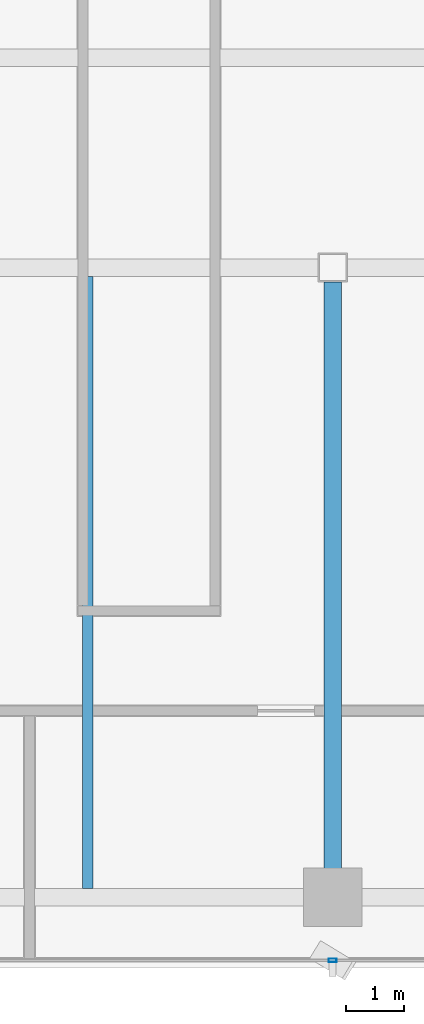
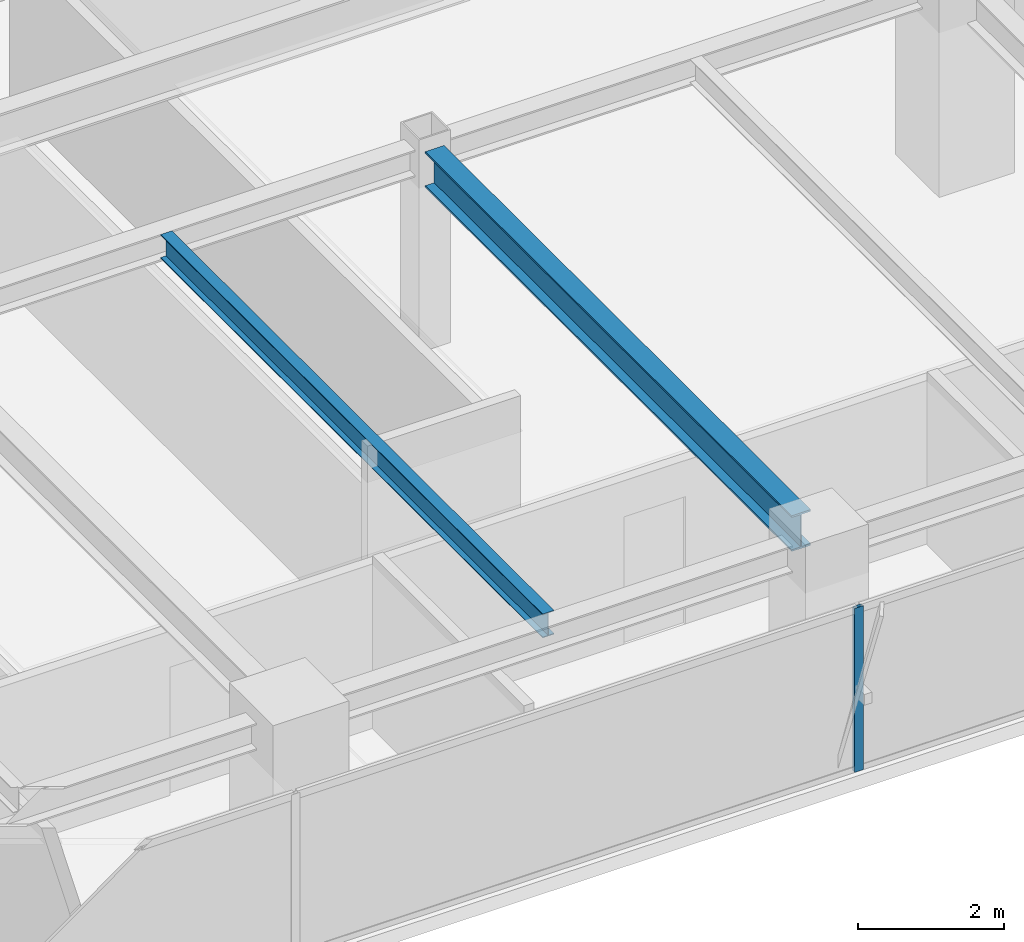
# One storey, part 6 of 26: 2 beams, 1 member, 1 element without a shape of its own.
"""IFC4 building model written with IfcOpenShell, lengths in metres."""

import ifcopenshell
import ifcopenshell.guid

model = None  # the IFC model being written
_history = None  # IfcOwnerHistory: only IFC2X3 demands one
_inside = {}  # id of a spatial element -> (the spatial element, [elements in it])
_under = {}  # id of a project, library or spatial element -> (it, [spatial elements below it])
_declared = {}  # id of a project -> (the project, [libraries it declares])
_typed = {}  # id of a type object -> (the type object, [elements of that type])
_made_of = {}  # id of a material, layer set ... -> (it, [elements and type objects made of it])


def new_model(schema):
    """Start an empty IFC model of exactly this schema.

    Asked for "IFC4X3", IfcOpenShell would pick the latest addendum, in which some entities
    have other attributes; the version numbers below select the first issue.
    IFC2X3 requires an IfcOwnerHistory on every rooted entity: one is made here for all.
    """
    global model, _history
    if schema == "IFC4X3":
        model = ifcopenshell.file(schema_version=(4, 3, 0, 0))
    else:
        model = ifcopenshell.file(schema=schema)
    _inside.clear()
    _under.clear()
    _declared.clear()
    _typed.clear()
    _made_of.clear()
    _history = None
    if model.schema == "IFC2X3":
        org = make("IfcOrganization", Name="unknown")
        user = make(
            "IfcPersonAndOrganization",
            ThePerson=make("IfcPerson", FamilyName="unknown"),
            TheOrganization=org,
        )
        app = make(
            "IfcApplication",
            ApplicationDeveloper=org,
            Version="unknown",
            ApplicationFullName="unknown",
            ApplicationIdentifier="unknown",
        )
        _history = make(
            "IfcOwnerHistory",
            OwningUser=user,
            OwningApplication=app,
            ChangeAction="ADDED",
            CreationDate=0,
        )
    return model


def make(cls, **values):
    """One entity of the class cls with the attributes given. An attribute that is None is left unset."""
    return model.create_entity(
        cls, **{name: value for name, value in values.items() if value is not None}
    )


def rooted(cls, **values):
    """An entity with a GlobalId (a new one), such as an element, a storey or a relation."""
    return make(cls, GlobalId=ifcopenshell.guid.new(), OwnerHistory=_history, **values)


def si_unit(unit_type, name, prefix=None):
    """IfcSIUnit, for example si_unit("LENGTHUNIT", "METRE", prefix="MILLI")."""
    return make("IfcSIUnit", UnitType=unit_type, Prefix=prefix, Name=name)


def assignment(units):
    """IfcUnitAssignment: the units of a project."""
    return None if units is None else make("IfcUnitAssignment", Units=units)


def point(xyz):
    """IfcCartesianPoint."""
    return None if xyz is None else make("IfcCartesianPoint", Coordinates=xyz)


def direction(xyz):
    """IfcDirection."""
    return None if xyz is None else make("IfcDirection", DirectionRatios=xyz)


def frame(location, z_axis=None, x_axis=None):
    """IfcAxis2Placement3D, a coordinate frame: its origin and axes. An axis left out is left unset."""
    return make(
        "IfcAxis2Placement3D",
        Location=point(location),
        Axis=direction(z_axis),
        RefDirection=direction(x_axis),
    )


def frame_2d(location, x_axis=None):
    """IfcAxis2Placement2D, a coordinate frame in the plane: its origin and x axis."""
    return make(
        "IfcAxis2Placement2D", Location=point(location), RefDirection=direction(x_axis)
    )


def origin():
    """The frame at (0, 0, 0) with its axes left unset."""
    return frame((0.0, 0.0, 0.0))


def origin_2d():
    """The frame at (0, 0) in the plane with its x axis left unset."""
    return frame_2d((0.0, 0.0))


def place(relative_to, where):
    """IfcLocalPlacement: puts the frame where relative to a parent placement (None: the world)."""
    return make(
        "IfcLocalPlacement", PlacementRelTo=relative_to, RelativePlacement=where
    )


def context(
    kind, dimensions, precision=None, world=None, true_north=None, identifier=None
):
    """IfcGeometricRepresentationContext, for example the 3D "Model" context."""
    return make(
        "IfcGeometricRepresentationContext",
        ContextIdentifier=identifier,
        ContextType=kind,
        CoordinateSpaceDimension=dimensions,
        Precision=precision,
        WorldCoordinateSystem=world,
        TrueNorth=true_north,
    )


def subcontext(parent, identifier, kind, view, scale=None):
    """IfcGeometricRepresentationSubContext, for example "Body" below "Model"."""
    return make(
        "IfcGeometricRepresentationSubContext",
        ContextIdentifier=identifier,
        ContextType=kind,
        ParentContext=parent,
        TargetScale=scale,
        TargetView=view,
    )


def project(units=None, contexts=None):
    """IfcProject with its units and contexts."""
    return rooted(
        "IfcProject",
        Name="project",
        RepresentationContexts=contexts,
        UnitsInContext=assignment(units),
    )


def spatial(cls, under=None, at=None, **own):
    """A site, building, storey or space (cls), placed at a placement, below another one or the project."""
    s = rooted(cls, ObjectPlacement=at, **own)
    if under is not None:
        _under.setdefault(under.id(), (under, []))[1].append(s)
    return s


def profile(cls, at=None, kind="AREA", **sizes):
    """A parametric profile (cls). Its sizes go by their IFC names, for example OverallWidth=200.0."""
    return make(cls, ProfileType=kind, Position=at, **sizes)


def hollow_rectangle(**sizes):
    """IfcRectangleHollowProfileDef."""
    return profile("IfcRectangleHollowProfileDef", **sizes)


def i_section(**sizes):
    """IfcIShapeProfileDef."""
    return profile("IfcIShapeProfileDef", **sizes)


def extrude(swept, where, along, depth):
    """IfcExtrudedAreaSolid: the profile swept, set in the frame where, extruded along a direction by depth."""
    return make(
        "IfcExtrudedAreaSolid",
        SweptArea=swept,
        Position=where,
        ExtrudedDirection=direction(along),
        Depth=depth,
    )


def shape(context_of_items, identifier, shape_type, items):
    """IfcShapeRepresentation: the items that make up one representation, for example the "Body"."""
    return make(
        "IfcShapeRepresentation",
        ContextOfItems=context_of_items,
        RepresentationIdentifier=identifier,
        RepresentationType=shape_type,
        Items=items,
    )


def source(mapping_origin, context_of_items, identifier, shape_type, items):
    """IfcRepresentationMap: a shape defined once, which mapped items show again and again."""
    return make(
        "IfcRepresentationMap",
        MappingOrigin=mapping_origin,
        MappedRepresentation=shape(context_of_items, identifier, shape_type, items),
    )


def transform(
    local_origin,
    x_axis=None,
    y_axis=None,
    z_axis=None,
    scale=None,
    scale2=None,
    scale3=None,
    uniform=True,
):
    """IfcCartesianTransformationOperator3D, or its non-uniform kind. x_axis, y_axis, z_axis: its Axis1, 2, 3."""
    if uniform:
        return make(
            "IfcCartesianTransformationOperator3D",
            Axis1=direction(x_axis),
            Axis2=direction(y_axis),
            LocalOrigin=point(local_origin),
            Scale=scale,
            Axis3=direction(z_axis),
        )
    return make(
        "IfcCartesianTransformationOperator3DnonUniform",
        Axis1=direction(x_axis),
        Axis2=direction(y_axis),
        LocalOrigin=point(local_origin),
        Scale=scale,
        Axis3=direction(z_axis),
        Scale2=scale2,
        Scale3=scale3,
    )


def mapped(mapping_source, mapping_target):
    """IfcMappedItem: shows the shape of a source again, moved by a transform."""
    return make(
        "IfcMappedItem", MappingSource=mapping_source, MappingTarget=mapping_target
    )


def material(Name=None, Category=None):
    """IfcMaterial."""
    return make("IfcMaterial", Name=Name, Category=Category)


def layer(
    of_material, thickness, ventilated=None, Name=None, Category=None, Priority=None
):
    """IfcMaterialLayer: one layer of a wall or slab, of a material (None: an air gap)."""
    return make(
        "IfcMaterialLayer",
        Material=of_material,
        LayerThickness=thickness,
        IsVentilated=ventilated,
        Name=Name,
        Category=Category,
        Priority=Priority,
    )


def layer_set(layers, Name=None):
    """IfcMaterialLayerSet."""
    return make("IfcMaterialLayerSet", MaterialLayers=layers, LayerSetName=Name)


def material_profile(
    of_material, cross_section, Name=None, Category=None, Priority=None
):
    """IfcMaterialProfile: a cross section and its material."""
    return make(
        "IfcMaterialProfile",
        Name=Name,
        Material=of_material,
        Profile=cross_section,
        Priority=Priority,
        Category=Category,
    )


def profile_set(profiles, Name=None, composite=None):
    """IfcMaterialProfileSet."""
    return make(
        "IfcMaterialProfileSet",
        Name=Name,
        MaterialProfiles=profiles,
        CompositeProfile=composite,
    )


def made_of(thing, what):
    """Note that an element or type object is made of a material, layer set ...; save() writes the relation."""
    if what is not None:
        _made_of.setdefault(what.id(), (what, []))[1].append(thing)
    return thing


def type_object(cls, material=None, **own):
    """A type object (cls), such as IfcWallType, which elements share."""
    return made_of(rooted(cls, **own), material)


def element(
    cls,
    number,
    at=None,
    inside=None,
    cuts=None,
    type_object=None,
    material=None,
    context=None,
    identifier="Body",
    shape_type=None,
    held_by="IfcProductDefinitionShape",
    body=None,
    shapes=None,
    **own,
):
    """One element of the class cls, such as IfcWall. Its Tag is "e" and its number.

    at: its placement. inside: the storey or other place that contains it. cuts: it is an
    opening in that element (IfcRelVoidsElement). A single representation is given by context,
    identifier, shape_type and body (its items); several are given by shapes. held_by: the class
    of the entity that holds the representations. save() writes the other relations.
    """
    e = rooted(cls, Tag="e%d" % number, ObjectPlacement=at, **own)
    if body is not None:
        shapes = [shape(context, identifier, shape_type, body)]
    if shapes is not None:
        e.Representation = make(held_by, Representations=shapes)
    if inside is not None:
        _inside.setdefault(inside.id(), (inside, []))[1].append(e)
    if cuts is not None:
        rooted(
            "IfcRelVoidsElement", RelatingBuildingElement=cuts, RelatedOpeningElement=e
        )
    if type_object is not None:
        _typed.setdefault(type_object.id(), (type_object, []))[1].append(e)
    return made_of(e, material)


def aggregate(whole, parts):
    """IfcRelAggregates: a whole, such as a stair, and the parts it consists of."""
    return rooted("IfcRelAggregates", RelatingObject=whole, RelatedObjects=parts)


def save(model, path):
    """Write the relations noted so far, then the file.

    IfcRelAggregates (storeys below a building ...), IfcRelContainedInSpatialStructure (elements
    in a storey), IfcRelDefinesByType, IfcRelAssociatesMaterial and IfcRelDeclares: one each for
    every whole, place, type object, material and project.
    """
    for whole, parts in _under.values():
        aggregate(whole, parts)
    for where, things in _inside.values():
        rooted(
            "IfcRelContainedInSpatialStructure",
            RelatedElements=things,
            RelatingStructure=where,
        )
    for kind, things in _typed.values():
        rooted("IfcRelDefinesByType", RelatedObjects=things, RelatingType=kind)
    for what, things in _made_of.values():
        rooted("IfcRelAssociatesMaterial", RelatedObjects=things, RelatingMaterial=what)
    for by, libraries in _declared.values():
        rooted("IfcRelDeclares", RelatingContext=by, RelatedDefinitions=libraries)
    model.write(path)


model = new_model("IFC4")

# Units and contexts
model_context = context("Model", 3, precision=1e-05, world=origin(), true_north=direction((0.0, 1.0)))
body_context = subcontext(model_context, "Body", "Model", "MODEL_VIEW")
ifc_project = project(units=[si_unit("LENGTHUNIT", "METRE"), si_unit("AREAUNIT", "SQUARE_METRE"), si_unit("VOLUMEUNIT", "CUBIC_METRE"), si_unit("PLANEANGLEUNIT", "RADIAN"), si_unit("MASSUNIT", "GRAM", prefix="KILO")], contexts=[model_context])

# Site, building, storey
site_placement = place(None, origin())
site = spatial("IfcSite", under=ifc_project, at=site_placement, CompositionType="ELEMENT")
building_placement = place(site_placement, origin())
building = spatial("IfcBuilding", under=site, at=building_placement, Name="Sumidabori Civic Tower", CompositionType="ELEMENT")
storey_placement = place(building_placement, frame((0.0, 0.0, 254.0)))
storey = spatial("IfcBuildingStorey", under=building, at=storey_placement, Name="L66", CompositionType="ELEMENT", Elevation=254.0)

# Beams
ifc_material_1 = material(Name="Steel SN490", Category="steel")
ifc_material_profile_1 = material_profile(ifc_material_1, i_section(OverallWidth=0.300048828125, OverallDepth=0.60009765625, WebThickness=0.015380859375, FlangeThickness=0.030029296875, at=origin_2d()), Name="HE 600 B")
ifc_profile_set_1 = profile_set([ifc_material_profile_1], Name="Steel SN490")
beam_type_1 = type_object("IfcBeamType", Name="BM-GIRD-600", PredefinedType="BEAM", material=ifc_profile_set_1)
shared_shape_1 = source(origin(), body_context, "Body", "SweptSolid", [
    extrude(i_section(OverallWidth=0.300048828125, OverallDepth=0.60009765625, WebThickness=0.015380859375, FlangeThickness=0.030029296875, at=origin_2d()), origin(), (0.0, 0.0, 1.0), 10.070068359375),
])
beam_1_placement = place(storey_placement, frame((0.0, -10.320068359375, 3.070068359375), z_axis=(0.0, 1.0, 0.0), x_axis=(-1.0, 0.0, 0.0)))
element("IfcBeam", 1, at=beam_1_placement, inside=storey, type_object=beam_type_1, Name="Primary Girder L66 GY-13", PredefinedType="BEAM", context=body_context, shape_type="MappedRepresentation", body=[
    mapped(shared_shape_1, transform((0.0, 0.0, 0.0), x_axis=(1.0, 0.0, 0.0), y_axis=(0.0, 1.0, 0.0), z_axis=(0.0, 0.0, 1.0), scale=1.0)),
])
ifc_material_profile_2 = material_profile(ifc_material_1, i_section(OverallWidth=0.179931640625, OverallDepth=0.39990234375, WebThickness=0.008544921875, FlangeThickness=0.013427734375, at=origin_2d()), Name="IPE 400")
ifc_profile_set_2 = profile_set([ifc_material_profile_2], Name="Steel SN490")
beam_type_2 = type_object("IfcBeamType", Name="BM-JST-400", PredefinedType="JOIST", material=ifc_profile_set_2)
shared_shape_2 = source(origin(), body_context, "Body", "SweptSolid", [
    extrude(i_section(OverallWidth=0.179931640625, OverallDepth=0.39990234375, WebThickness=0.008544921875, FlangeThickness=0.013427734375, at=origin_2d()), origin(), (0.0, 0.0, 1.0), 10.5),
])
beam_2_placement = place(storey_placement, frame((-4.199951171875, -10.64990234375, 3.169921875), z_axis=(0.0, 1.0, 0.0), x_axis=(-1.0, 0.0, 0.0)))
element("IfcBeam", 2, at=beam_2_placement, inside=storey, type_object=beam_type_2, Name="Upper Lens N-S Floor Joist L66 JSTV-21", PredefinedType="JOIST", context=body_context, shape_type="MappedRepresentation", body=[
    mapped(shared_shape_2, transform((0.0, 0.0, 0.0), x_axis=(1.0, 0.0, 0.0), y_axis=(0.0, 1.0, 0.0), z_axis=(0.0, 0.0, 1.0), scale=1.0)),
])

# Curtain wall, member
ifc_material_2 = material(Name="Anodised Bronze Aluminium AW-6063-T6", Category="aluminium")
ifc_layer = layer(ifc_material_2, 0.179931640625, Name="Anodised Bronze Aluminium AW-6063-T6")
ifc_layer_set = layer_set([ifc_layer], Name="Anodised Bronze Aluminium AW-6063-T6")
curtain_wall_type = type_object("IfcCurtainWallType", Name="CW-SYS-5", PredefinedType="NOTDEFINED", material=ifc_layer_set)
curtain_wall_placement = place(storey_placement, origin())
curtain_wall = element("IfcCurtainWall", 3, at=curtain_wall_placement, inside=storey, type_object=curtain_wall_type, Name="Curtain Wall CW:L66:R01", PredefinedType="NOTDEFINED")
ifc_material_profile_3 = material_profile(ifc_material_2, hollow_rectangle(XDim=0.06005859375, YDim=0.139892578125, WallThickness=0.0048828125, at=origin_2d()), Name="ALU MULLION 140x60")
ifc_profile_set_3 = profile_set([ifc_material_profile_3], Name="Anodised Bronze Aluminium AW-6063-T6")
member_type = type_object("IfcMemberType", Name="CW-MUL-140", PredefinedType="MULLION", material=ifc_profile_set_3)
shared_shape_3 = source(origin(), body_context, "Body", "SweptSolid", [
    extrude(hollow_rectangle(XDim=0.06005859375, YDim=0.139892578125, WallThickness=0.0048828125, at=origin_2d()), origin(), (0.0, 0.0, 1.0), 2.75),
])
member_placement = place(storey_placement, frame((0.0, -11.8798828125, 0.0), z_axis=(0.0, 0.0, 1.0), x_axis=(0.0, 1.0, 0.0)))
member = element("IfcMember", 4, at=member_placement, type_object=member_type, Name="CW-5 mullion 3", PredefinedType="MULLION", context=body_context, shape_type="MappedRepresentation", body=[
    mapped(shared_shape_3, transform((0.0, 0.0, 0.0), x_axis=(1.0, 0.0, 0.0), y_axis=(0.0, 1.0, 0.0), z_axis=(0.0, 0.0, 1.0), scale=1.0)),
])
aggregate(curtain_wall, [member])

save(model, "model.ifc")
